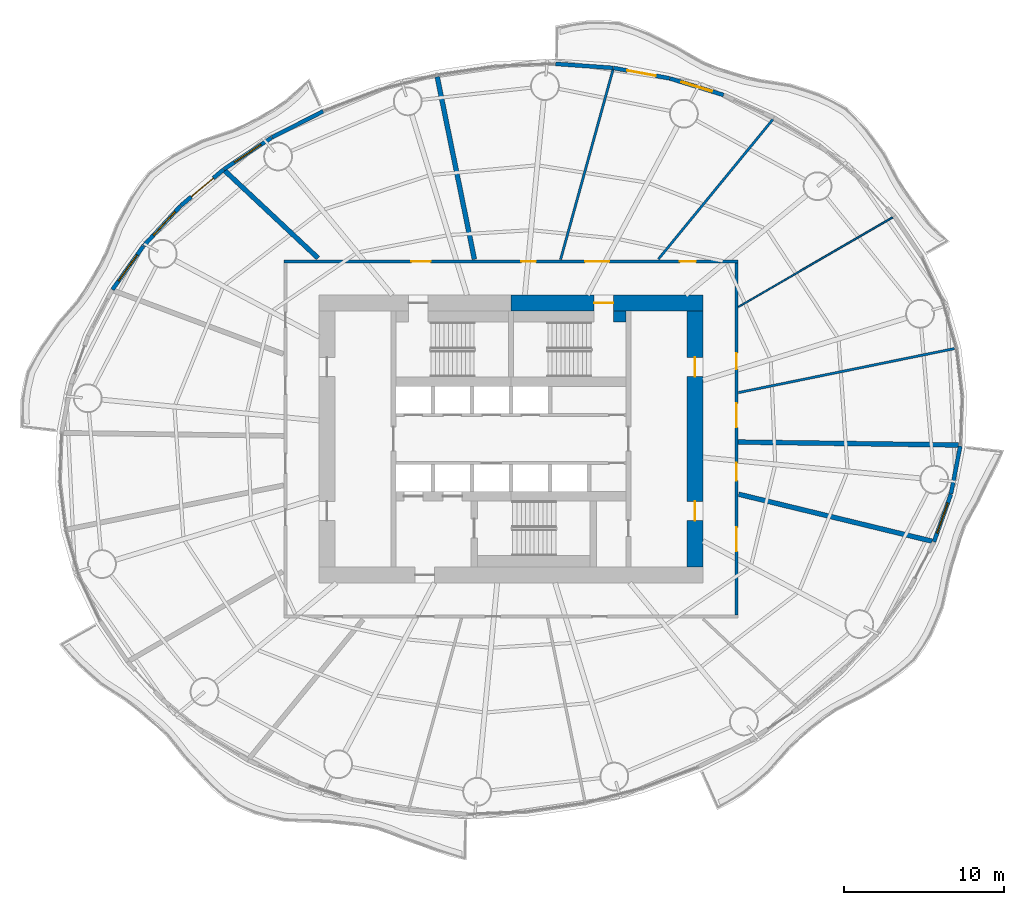
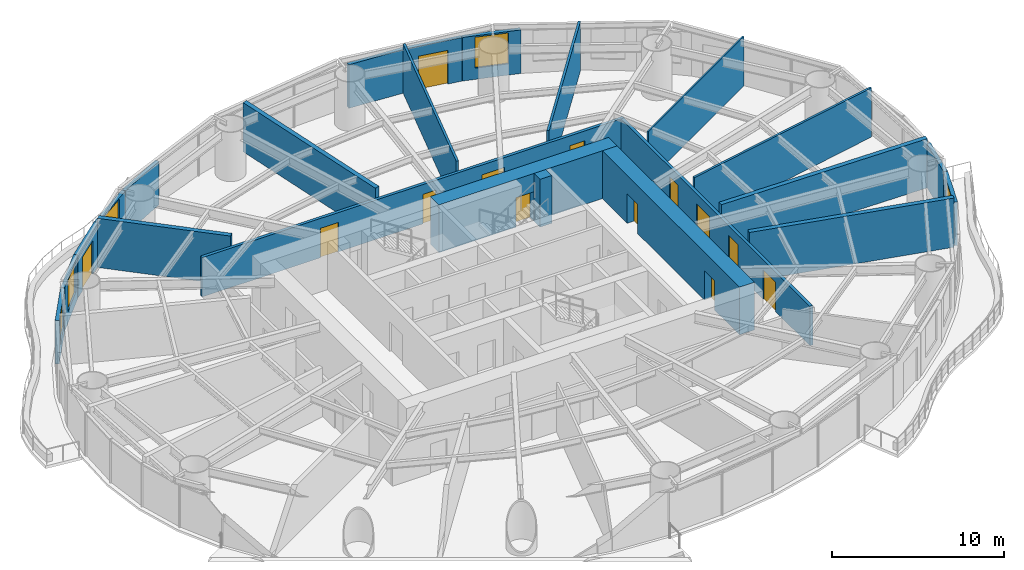
# One storey, part 10 of 16: 23 walls, 13 doors, 5 windows, 18 openings.
"""IFC4 building model written with IfcOpenShell, lengths in metres."""

import ifcopenshell
import ifcopenshell.guid

model = None  # the IFC model being written
_history = None  # IfcOwnerHistory: only IFC2X3 demands one
_inside = {}  # id of a spatial element -> (the spatial element, [elements in it])
_under = {}  # id of a project, library or spatial element -> (it, [spatial elements below it])
_declared = {}  # id of a project -> (the project, [libraries it declares])
_typed = {}  # id of a type object -> (the type object, [elements of that type])
_made_of = {}  # id of a material, layer set ... -> (it, [elements and type objects made of it])


def new_model(schema):
    """Start an empty IFC model of exactly this schema.

    Asked for "IFC4X3", IfcOpenShell would pick the latest addendum, in which some entities
    have other attributes; the version numbers below select the first issue.
    IFC2X3 requires an IfcOwnerHistory on every rooted entity: one is made here for all.
    """
    global model, _history
    if schema == "IFC4X3":
        model = ifcopenshell.file(schema_version=(4, 3, 0, 0))
    else:
        model = ifcopenshell.file(schema=schema)
    _inside.clear()
    _under.clear()
    _declared.clear()
    _typed.clear()
    _made_of.clear()
    _history = None
    if model.schema == "IFC2X3":
        org = make("IfcOrganization", Name="unknown")
        user = make(
            "IfcPersonAndOrganization",
            ThePerson=make("IfcPerson", FamilyName="unknown"),
            TheOrganization=org,
        )
        app = make(
            "IfcApplication",
            ApplicationDeveloper=org,
            Version="unknown",
            ApplicationFullName="unknown",
            ApplicationIdentifier="unknown",
        )
        _history = make(
            "IfcOwnerHistory",
            OwningUser=user,
            OwningApplication=app,
            ChangeAction="ADDED",
            CreationDate=0,
        )
    return model


def make(cls, **values):
    """One entity of the class cls with the attributes given. An attribute that is None is left unset."""
    return model.create_entity(
        cls, **{name: value for name, value in values.items() if value is not None}
    )


def rooted(cls, **values):
    """An entity with a GlobalId (a new one), such as an element, a storey or a relation."""
    return make(cls, GlobalId=ifcopenshell.guid.new(), OwnerHistory=_history, **values)


def si_unit(unit_type, name, prefix=None):
    """IfcSIUnit, for example si_unit("LENGTHUNIT", "METRE", prefix="MILLI")."""
    return make("IfcSIUnit", UnitType=unit_type, Prefix=prefix, Name=name)


def assignment(units):
    """IfcUnitAssignment: the units of a project."""
    return None if units is None else make("IfcUnitAssignment", Units=units)


def point(xyz):
    """IfcCartesianPoint."""
    return None if xyz is None else make("IfcCartesianPoint", Coordinates=xyz)


def direction(xyz):
    """IfcDirection."""
    return None if xyz is None else make("IfcDirection", DirectionRatios=xyz)


def frame(location, z_axis=None, x_axis=None):
    """IfcAxis2Placement3D, a coordinate frame: its origin and axes. An axis left out is left unset."""
    return make(
        "IfcAxis2Placement3D",
        Location=point(location),
        Axis=direction(z_axis),
        RefDirection=direction(x_axis),
    )


def frame_2d(location, x_axis=None):
    """IfcAxis2Placement2D, a coordinate frame in the plane: its origin and x axis."""
    return make(
        "IfcAxis2Placement2D", Location=point(location), RefDirection=direction(x_axis)
    )


def origin():
    """The frame at (0, 0, 0) with its axes left unset."""
    return frame((0.0, 0.0, 0.0))


def place(relative_to, where):
    """IfcLocalPlacement: puts the frame where relative to a parent placement (None: the world)."""
    return make(
        "IfcLocalPlacement", PlacementRelTo=relative_to, RelativePlacement=where
    )


def context(
    kind, dimensions, precision=None, world=None, true_north=None, identifier=None
):
    """IfcGeometricRepresentationContext, for example the 3D "Model" context."""
    return make(
        "IfcGeometricRepresentationContext",
        ContextIdentifier=identifier,
        ContextType=kind,
        CoordinateSpaceDimension=dimensions,
        Precision=precision,
        WorldCoordinateSystem=world,
        TrueNorth=true_north,
    )


def subcontext(parent, identifier, kind, view, scale=None):
    """IfcGeometricRepresentationSubContext, for example "Body" below "Model"."""
    return make(
        "IfcGeometricRepresentationSubContext",
        ContextIdentifier=identifier,
        ContextType=kind,
        ParentContext=parent,
        TargetScale=scale,
        TargetView=view,
    )


def project(units=None, contexts=None):
    """IfcProject with its units and contexts."""
    return rooted(
        "IfcProject",
        Name="project",
        RepresentationContexts=contexts,
        UnitsInContext=assignment(units),
    )


def spatial(cls, under=None, at=None, **own):
    """A site, building, storey or space (cls), placed at a placement, below another one or the project."""
    s = rooted(cls, ObjectPlacement=at, **own)
    if under is not None:
        _under.setdefault(under.id(), (under, []))[1].append(s)
    return s


def profile(cls, at=None, kind="AREA", **sizes):
    """A parametric profile (cls). Its sizes go by their IFC names, for example OverallWidth=200.0."""
    return make(cls, ProfileType=kind, Position=at, **sizes)


def rectangle(**sizes):
    """IfcRectangleProfileDef."""
    return profile("IfcRectangleProfileDef", **sizes)


def extrude(swept, where, along, depth):
    """IfcExtrudedAreaSolid: the profile swept, set in the frame where, extruded along a direction by depth."""
    return make(
        "IfcExtrudedAreaSolid",
        SweptArea=swept,
        Position=where,
        ExtrudedDirection=direction(along),
        Depth=depth,
    )


def shape(context_of_items, identifier, shape_type, items):
    """IfcShapeRepresentation: the items that make up one representation, for example the "Body"."""
    return make(
        "IfcShapeRepresentation",
        ContextOfItems=context_of_items,
        RepresentationIdentifier=identifier,
        RepresentationType=shape_type,
        Items=items,
    )


def material(Name=None, Category=None):
    """IfcMaterial."""
    return make("IfcMaterial", Name=Name, Category=Category)


def layer(
    of_material, thickness, ventilated=None, Name=None, Category=None, Priority=None
):
    """IfcMaterialLayer: one layer of a wall or slab, of a material (None: an air gap)."""
    return make(
        "IfcMaterialLayer",
        Material=of_material,
        LayerThickness=thickness,
        IsVentilated=ventilated,
        Name=Name,
        Category=Category,
        Priority=Priority,
    )


def layer_set(layers, Name=None):
    """IfcMaterialLayerSet."""
    return make("IfcMaterialLayerSet", MaterialLayers=layers, LayerSetName=Name)


def made_of(thing, what):
    """Note that an element or type object is made of a material, layer set ...; save() writes the relation."""
    if what is not None:
        _made_of.setdefault(what.id(), (what, []))[1].append(thing)
    return thing


def type_object(cls, material=None, **own):
    """A type object (cls), such as IfcWallType, which elements share."""
    return made_of(rooted(cls, **own), material)


def element(
    cls,
    number,
    at=None,
    inside=None,
    cuts=None,
    type_object=None,
    material=None,
    context=None,
    identifier="Body",
    shape_type=None,
    held_by="IfcProductDefinitionShape",
    body=None,
    shapes=None,
    **own,
):
    """One element of the class cls, such as IfcWall. Its Tag is "e" and its number.

    at: its placement. inside: the storey or other place that contains it. cuts: it is an
    opening in that element (IfcRelVoidsElement). A single representation is given by context,
    identifier, shape_type and body (its items); several are given by shapes. held_by: the class
    of the entity that holds the representations. save() writes the other relations.
    """
    e = rooted(cls, Tag="e%d" % number, ObjectPlacement=at, **own)
    if body is not None:
        shapes = [shape(context, identifier, shape_type, body)]
    if shapes is not None:
        e.Representation = make(held_by, Representations=shapes)
    if inside is not None:
        _inside.setdefault(inside.id(), (inside, []))[1].append(e)
    if cuts is not None:
        rooted(
            "IfcRelVoidsElement", RelatingBuildingElement=cuts, RelatedOpeningElement=e
        )
    if type_object is not None:
        _typed.setdefault(type_object.id(), (type_object, []))[1].append(e)
    return made_of(e, material)


def fill(opening, filler):
    """IfcRelFillsElement: the door or window that sits in an opening."""
    return rooted(
        "IfcRelFillsElement",
        RelatingOpeningElement=opening,
        RelatedBuildingElement=filler,
    )


def aggregate(whole, parts):
    """IfcRelAggregates: a whole, such as a stair, and the parts it consists of."""
    return rooted("IfcRelAggregates", RelatingObject=whole, RelatedObjects=parts)


def save(model, path):
    """Write the relations noted so far, then the file.

    IfcRelAggregates (storeys below a building ...), IfcRelContainedInSpatialStructure (elements
    in a storey), IfcRelDefinesByType, IfcRelAssociatesMaterial and IfcRelDeclares: one each for
    every whole, place, type object, material and project.
    """
    for whole, parts in _under.values():
        aggregate(whole, parts)
    for where, things in _inside.values():
        rooted(
            "IfcRelContainedInSpatialStructure",
            RelatedElements=things,
            RelatingStructure=where,
        )
    for kind, things in _typed.values():
        rooted("IfcRelDefinesByType", RelatedObjects=things, RelatingType=kind)
    for what, things in _made_of.values():
        rooted("IfcRelAssociatesMaterial", RelatedObjects=things, RelatingMaterial=what)
    for by, libraries in _declared.values():
        rooted("IfcRelDeclares", RelatingContext=by, RelatedDefinitions=libraries)
    model.write(path)


model = new_model("IFC4")

# Units and contexts
model_context = context("Model", 3, precision=1e-05, world=origin(), true_north=direction((0.0, 1.0)))
body_context = subcontext(model_context, "Body", "Model", "MODEL_VIEW")
ifc_project = project(units=[si_unit("LENGTHUNIT", "METRE"), si_unit("AREAUNIT", "SQUARE_METRE"), si_unit("VOLUMEUNIT", "CUBIC_METRE"), si_unit("PLANEANGLEUNIT", "RADIAN"), si_unit("MASSUNIT", "GRAM", prefix="KILO")], contexts=[model_context])

# Site, building, storey
site_placement = place(None, origin())
site = spatial("IfcSite", under=ifc_project, at=site_placement, CompositionType="ELEMENT")
building_placement = place(site_placement, origin())
building = spatial("IfcBuilding", under=site, at=building_placement, Name="Vermilion Reach Broadcast Tower", CompositionType="ELEMENT")
storey_placement = place(building_placement, frame((0.0, 0.0, 80.39990234375)))
storey = spatial("IfcBuildingStorey", under=building, at=storey_placement, Name="L17", CompositionType="ELEMENT", Elevation=80.39990234375)

# Wall, opening, door
ifc_material_1 = material(Name="Concrete C70", Category="concrete")
ifc_layer_1 = layer(ifc_material_1, 1.0)
ifc_layer_set_1 = layer_set([ifc_layer_1], Name="Core outer wall 1000 mm Concrete C70")
wall_type_1 = type_object("IfcWallType", Name="Core outer wall 1000 mm Concrete C70", PredefinedType="SHEAR", material=ifc_layer_set_1)
wall_1_placement = place(storey_placement, frame((6.0, 8.5, 0.0), z_axis=(0.0, 0.0, 1.0), x_axis=(-1.0, 0.0, 0.0)))
wall_1 = element("IfcWall", 1, at=wall_1_placement, inside=storey, type_object=wall_type_1, Name="L17 core wall onE", PredefinedType="SHEAR", context=body_context, shape_type="SweptSolid", body=[
    extrude(rectangle(XDim=12.0, YDim=1.0, at=frame_2d((6.0, 0.0))), origin(), (0.0, 0.0, 1.0), 3.400146484375),
])
opening_1_placement = place(wall_1_placement, frame((5.60009765625, 0.0, 0.0)))
opening_1 = element("IfcOpeningElement", 2, at=opening_1_placement, cuts=wall_1, Name="Opening D01", PredefinedType="OPENING", context=body_context, shape_type="SweptSolid", body=[
    extrude(rectangle(XDim=1.199951171875, YDim=2.10009765625, at=frame_2d((0.60009765625, 1.050048828125))), frame((0.0, 0.510009765625, 0.0), z_axis=(0.0, -1.0, 0.0), x_axis=(1.0, 0.0, 0.0)), (0.0, 0.0, 1.0), 1.02001953125),
])
ifc_material_2 = material(Name="Painted steel fire door", Category="steel")
door_type_1 = type_object("IfcDoorType", Name="Stair door 1200 x 2100", OperationType="DOUBLE_DOOR_SINGLE_SWING", PredefinedType="NOTDEFINED", material=ifc_material_2)
door_1_placement = place(opening_1_placement, origin())
door_1 = element("IfcDoor", 3, at=door_1_placement, inside=storey, type_object=door_type_1, Name="L17 stair door ST2", OperationType="DOUBLE_DOOR_SINGLE_SWING", OverallHeight=2.10009765625, OverallWidth=1.199951171875, PredefinedType="NOTDEFINED", context=body_context, shape_type="SweptSolid", body=[
    extrude(rectangle(XDim=1.199951171875, YDim=2.10009765625, at=frame_2d((0.60009765625, 1.050048828125))), frame((0.0, 0.02490234375, 0.0), z_axis=(0.0, -1.0, 0.0), x_axis=(1.0, 0.0, 0.0)), (0.0, 0.0, 1.0), 0.050048828125),
])
fill(opening_1, door_1)

# Wall, openings, doors
wall_2_placement = place(storey_placement, frame((5.5, -8.0, 0.0), z_axis=(0.0, 0.0, 1.0), x_axis=(0.0, 1.0, 0.0)))
wall_2 = element("IfcWall", 4, at=wall_2_placement, inside=storey, type_object=wall_type_1, Name="L17 core wall oe", PredefinedType="SHEAR", context=body_context, shape_type="SweptSolid", body=[
    extrude(rectangle(XDim=16.0, YDim=1.0, at=frame_2d((8.0, 0.0))), origin(), (0.0, 0.0, 1.0), 3.400146484375),
])
opening_2_placement = place(wall_2_placement, frame((2.89990234375, 0.0, 0.0)))
opening_2 = element("IfcOpeningElement", 5, at=opening_2_placement, cuts=wall_2, Name="Opening D03", PredefinedType="OPENING", context=body_context, shape_type="SweptSolid", body=[
    extrude(rectangle(XDim=1.199951171875, YDim=2.10009765625, at=frame_2d((0.60009765625, 1.050048828125))), frame((0.0, 0.510009765625, 0.0), z_axis=(0.0, -1.0, 0.0), x_axis=(1.0, 0.0, 0.0)), (0.0, 0.0, 1.0), 1.02001953125),
])
opening_3_placement = place(wall_2_placement, frame((11.89990234375, 0.0, 0.0)))
opening_3 = element("IfcOpeningElement", 6, at=opening_3_placement, cuts=wall_2, Name="Opening D03", PredefinedType="OPENING", context=body_context, shape_type="SweptSolid", body=[
    extrude(rectangle(XDim=1.199951171875, YDim=2.10009765625, at=frame_2d((0.60009765625, 1.050048828125))), frame((0.0, 0.510009765625, 0.0), z_axis=(0.0, -1.0, 0.0), x_axis=(1.0, 0.0, 0.0)), (0.0, 0.0, 1.0), 1.02001953125),
])
ifc_material_3 = material(Name="Painted steel fire door", Category="steel")
door_type_2 = type_object("IfcDoorType", Name="Core lobby door 1200 x 2100", OperationType="DOUBLE_DOOR_SINGLE_SWING", PredefinedType="NOTDEFINED", material=ifc_material_3)
door_2_placement = place(opening_2_placement, origin())
door_2 = element("IfcDoor", 7, at=door_2_placement, inside=storey, type_object=door_type_2, Name="L17 slot door E0", OperationType="DOUBLE_DOOR_SINGLE_SWING", OverallHeight=2.10009765625, OverallWidth=1.199951171875, PredefinedType="NOTDEFINED", context=body_context, shape_type="SweptSolid", body=[
    extrude(rectangle(XDim=1.199951171875, YDim=2.10009765625, at=frame_2d((0.60009765625, 1.050048828125))), frame((0.0, 0.02490234375, 0.0), z_axis=(0.0, -1.0, 0.0), x_axis=(1.0, 0.0, 0.0)), (0.0, 0.0, 1.0), 0.050048828125),
])
fill(opening_2, door_2)
door_3_placement = place(opening_3_placement, origin())
door_3 = element("IfcDoor", 8, at=door_3_placement, inside=storey, type_object=door_type_2, Name="L17 slot door E1", OperationType="DOUBLE_DOOR_SINGLE_SWING", OverallHeight=2.10009765625, OverallWidth=1.199951171875, PredefinedType="NOTDEFINED", context=body_context, shape_type="SweptSolid", body=[
    extrude(rectangle(XDim=1.199951171875, YDim=2.10009765625, at=frame_2d((0.60009765625, 1.050048828125))), frame((0.0, 0.02490234375, 0.0), z_axis=(0.0, -1.0, 0.0), x_axis=(1.0, 0.0, 0.0)), (0.0, 0.0, 1.0), 0.050048828125),
])
fill(opening_3, door_3)

# Walls
ifc_material_4 = material(Name="Concrete C70", Category="concrete")
ifc_layer_2 = layer(ifc_material_4, 0.699951171875)
ifc_layer_set_2 = layer_set([ifc_layer_2], Name="Core stair wall 700 mm Concrete C70")
wall_type_2 = type_object("IfcWallType", Name="Core stair wall 700 mm Concrete C70", PredefinedType="SHEAR", material=ifc_layer_set_2)
wall_3_placement = place(storey_placement, frame((0.39990234375, 7.64990234375, 0.0), z_axis=(0.0, 0.0, 1.0), x_axis=(1.0, 0.0, 0.0)))
element("IfcWall", 9, at=wall_3_placement, inside=storey, type_object=wall_type_2, Name="L17 core wall l2b", PredefinedType="SHEAR", context=body_context, shape_type="SweptSolid", body=[
    extrude(rectangle(XDim=0.800048828125, YDim=0.699951171875, at=frame_2d((0.39990234375, 0.0))), origin(), (0.0, 0.0, 1.0), 3.400146484375),
])
ifc_material_5 = material(Name="Plasterboard on steel stud", Category="steel")
ifc_layer_3 = layer(ifc_material_5, 0.10009765625)
ifc_layer_set_3 = layer_set([ifc_layer_3], Name="Partition 100 steel stud")
wall_type_3 = type_object("IfcWallType", Name="Partition 100 steel stud", PredefinedType="PARTITIONING", material=ifc_layer_set_3)
wall_4_placement = place(storey_placement, frame((17.8642578125, 13.858642578125, 0.0), z_axis=(0.0, 0.0, 1.0), x_axis=(-0.864751207242, -0.502200507341, 0.0)))
element("IfcWall", 10, at=wall_4_placement, inside=storey, type_object=wall_type_3, Name="Partition 17.02", PredefinedType="PARTITIONING", context=body_context, shape_type="SweptSolid", body=[
    extrude(rectangle(XDim=11.146728515625, YDim=0.10009765625, at=frame_2d((5.5732421875, 0.0))), origin(), (0.0, 0.0, 1.0), 3.5),
])
ifc_material_6 = material(Name="Lightweight concrete block, plastered", Category="concrete")
ifc_layer_4 = layer(ifc_material_6, 0.14990234375)
ifc_layer_set_4 = layer_set([ifc_layer_4], Name="Partition 150 lightweight block")
wall_type_4 = type_object("IfcWallType", Name="Partition 150 lightweight block", PredefinedType="PARTITIONING", material=ifc_layer_set_4)
wall_5_placement = place(storey_placement, frame((21.7216796875, 5.650146484375, 0.0), z_axis=(0.0, 0.0, 1.0), x_axis=(-0.979854025466, -0.19971501891, 0.0)))
element("IfcWall", 11, at=wall_5_placement, inside=storey, type_object=wall_type_4, Name="Partition 17.01", PredefinedType="PARTITIONING", context=body_context, shape_type="SweptSolid", body=[
    extrude(rectangle(XDim=13.7841796875, YDim=0.14990234375, at=frame_2d((6.89208984375, 0.0))), origin(), (0.0, 0.0, 1.0), 3.5),
])
wall_6_placement = place(storey_placement, frame((10.375244140625, 19.9833984375, 0.0), z_axis=(0.0, 0.0, 1.0), x_axis=(-0.633830873212, -0.773471669916, 0.0)))
element("IfcWall", 12, at=wall_6_placement, inside=storey, type_object=wall_type_4, Name="Partition 17.03", PredefinedType="PARTITIONING", context=body_context, shape_type="SweptSolid", body=[
    extrude(rectangle(XDim=11.29443359375, YDim=0.14990234375, at=frame_2d((5.647216796875, 0.0))), origin(), (0.0, 0.0, 1.0), 3.5),
])
wall_7_placement = place(storey_placement, frame((0.372802734375, 23.075439453125, 0.0), z_axis=(0.0, 0.0, 1.0), x_axis=(-0.266208224794, -0.963915546639, 0.0)))
element("IfcWall", 13, at=wall_7_placement, inside=storey, type_object=wall_type_4, Name="Partition 17.04", PredefinedType="PARTITIONING", context=body_context, shape_type="SweptSolid", body=[
    extrude(rectangle(XDim=12.29931640625, YDim=0.14990234375, at=frame_2d((6.149658203125, 0.0))), origin(), (0.0, 0.0, 1.0), 3.5),
])
ifc_material_7 = material(Name="Double-leaf plasterboard on isolated steel stud", Category="steel")
ifc_layer_5 = layer(ifc_material_7, 0.300048828125)
ifc_layer_set_5 = layer_set([ifc_layer_5], Name="Partition 300 acoustic double leaf")
wall_type_5 = type_object("IfcWallType", Name="Partition 300 acoustic double leaf", PredefinedType="PARTITIONING", material=ifc_layer_set_5)
wall_8_placement = place(storey_placement, frame((-10.614501953125, 22.64111328125, 0.0), z_axis=(0.0, 0.0, 1.0), x_axis=(0.19970288829, -0.979856497865, 0.0)))
element("IfcWall", 14, at=wall_8_placement, inside=storey, type_object=wall_type_5, Name="Partition 17.05", PredefinedType="PARTITIONING", context=body_context, shape_type="SweptSolid", body=[
    extrude(rectangle(XDim=11.645751953125, YDim=0.300048828125, at=frame_2d((5.82275390625, 0.0))), origin(), (0.0, 0.0, 1.0), 3.5),
])
wall_9_placement = place(storey_placement, frame((-23.884033203125, 16.7607421875, 0.0), z_axis=(0.0, 0.0, 1.0), x_axis=(0.729643205367, -0.683828043343, 0.0)))
element("IfcWall", 15, at=wall_9_placement, inside=storey, type_object=wall_type_5, Name="Partition 17.06", PredefinedType="PARTITIONING", context=body_context, shape_type="SweptSolid", body=[
    extrude(rectangle(XDim=7.971923828125, YDim=0.300048828125, at=frame_2d((3.98583984375, 0.0))), origin(), (0.0, 0.0, 1.0), 3.5),
])
wall_10_placement = place(storey_placement, frame((20.32861328125, -6.3916015625, 0.0), z_axis=(0.0, 0.0, 1.0), x_axis=(-0.971774781558, 0.235910521021, 0.0)))
element("IfcWall", 16, at=wall_10_placement, inside=storey, type_object=wall_type_5, Name="Partition 17.15", PredefinedType="PARTITIONING", context=body_context, shape_type="SweptSolid", body=[
    extrude(rectangle(XDim=12.444580078125, YDim=0.300048828125, at=frame_2d((6.22216796875, 0.0))), origin(), (0.0, 0.0, 1.0), 3.5),
])
wall_11_placement = place(storey_placement, frame((21.973388671875, -0.37939453125, 0.0), z_axis=(0.0, 0.0, 1.0), x_axis=(-0.999908046775, 0.013560899459, 0.0)))
element("IfcWall", 17, at=wall_11_placement, inside=storey, type_object=wall_type_5, Name="Partition 17.16", PredefinedType="PARTITIONING", context=body_context, shape_type="SweptSolid", body=[
    extrude(rectangle(XDim=13.7724609375, YDim=0.300048828125, at=frame_2d((6.88623046875, 0.0))), origin(), (0.0, 0.0, 1.0), 3.5),
])

# Wall, opening, window
ifc_material_8 = material(Name="Terracotta rainscreen cladding", Category="masonry")
ifc_layer_6 = layer(ifc_material_8, 0.25)
ifc_layer_set_6 = layer_set([ifc_layer_6], Name="Terracotta rainscreen wall 250")
wall_type_6 = type_object("IfcWallType", Name="Terracotta rainscreen wall 250", PredefinedType="SOLIDWALL", material=ifc_layer_set_6)
wall_12_placement = place(storey_placement, frame((7.2841796875, 21.506591796875, 0.0), z_axis=(0.0, 0.0, 1.0), x_axis=(-0.955359001532, 0.295447420351, 0.0)))
wall_12 = element("IfcWall", 18, at=wall_12_placement, inside=storey, type_object=wall_type_6, Name="External wall L17 07", PredefinedType="SOLIDWALL", context=body_context, shape_type="SweptSolid", body=[
    extrude(rectangle(XDim=3.501953125, YDim=0.25, at=frame_2d((1.7509765625, 0.0))), origin(), (0.0, 0.0, 1.0), 3.10009765625),
])
opening_4_placement = place(wall_12_placement, frame((0.7509765625, 0.0, 0.800048828125)))
opening_4 = element("IfcOpeningElement", 19, at=opening_4_placement, cuts=wall_12, Name="Opening W01", PredefinedType="OPENING", context=body_context, shape_type="SweptSolid", body=[
    extrude(rectangle(XDim=2.0, YDim=2.199951171875, at=frame_2d((1.0, 1.10009765625))), frame((0.0, 0.135009765625, 0.0), z_axis=(0.0, -1.0, 0.0), x_axis=(1.0, 0.0, 0.0)), (0.0, 0.0, 1.0), 0.27001953125),
])
ifc_material_9 = material(Name="Low-e laminated clear glass in aluminium frame", Category="aluminium")
window_type = type_object("IfcWindowType", Name="Punched window 2000 x 2200 sill 800", PartitioningType="SINGLE_PANEL", PredefinedType="WINDOW", material=ifc_material_9)
window_1_placement = place(opening_4_placement, origin())
window_1 = element("IfcWindow", 20, at=window_1_placement, inside=storey, type_object=window_type, Name="Window L17 07", OverallHeight=2.199951171875, OverallWidth=2.0, PartitioningType="SINGLE_PANEL", PredefinedType="WINDOW", context=body_context, shape_type="SweptSolid", body=[
    extrude(rectangle(XDim=2.0, YDim=2.199951171875, at=frame_2d((1.0, 1.10009765625))), frame((0.0, 0.030029296875, 0.0), z_axis=(0.0, -1.0, 0.0), x_axis=(1.0, 0.0, 0.0)), (0.0, 0.0, 1.0), 0.06005859375),
])
fill(opening_4, window_1)

# Wall, opening, door
wall_13_placement = place(storey_placement, frame((3.91650390625, 22.546630859375, 0.0), z_axis=(0.0, 0.0, 1.0), x_axis=(-0.983303724205, 0.181971937299, 0.0)))
wall_13 = element("IfcWall", 21, at=wall_13_placement, inside=storey, type_object=wall_type_6, Name="External wall L17 08", PredefinedType="SOLIDWALL", context=body_context, shape_type="SweptSolid", body=[
    extrude(rectangle(XDim=3.576904296875, YDim=0.25, at=frame_2d((1.78857421875, 0.0))), origin(), (0.0, 0.0, 1.0), 3.10009765625),
])
opening_5_placement = place(wall_13_placement, frame((0.887939453125, 0.0, 0.0)))
opening_5 = element("IfcOpeningElement", 22, at=opening_5_placement, cuts=wall_13, Name="Opening D70", PredefinedType="OPENING", context=body_context, shape_type="SweptSolid", body=[
    extrude(rectangle(XDim=1.800048828125, YDim=2.39990234375, at=frame_2d((0.89990234375, 1.199951171875))), frame((0.0, 0.135009765625, 0.0), z_axis=(0.0, -1.0, 0.0), x_axis=(1.0, 0.0, 0.0)), (0.0, 0.0, 1.0), 0.27001953125),
])
ifc_material_10 = material(Name="Low-e laminated clear glass in aluminium frame", Category="aluminium")
door_type_3 = type_object("IfcDoorType", Name="Balcony sliding door 1800 x 2400", OperationType="DOUBLE_DOOR_SLIDING", PredefinedType="DOOR", material=ifc_material_10)
door_4_placement = place(opening_5_placement, origin())
door_4 = element("IfcDoor", 23, at=door_4_placement, inside=storey, type_object=door_type_3, Name="Balcony door L17 run 02", OperationType="DOUBLE_DOOR_SLIDING", OverallHeight=2.39990234375, OverallWidth=1.800048828125, PredefinedType="DOOR", context=body_context, shape_type="SweptSolid", body=[
    extrude(rectangle(XDim=1.800048828125, YDim=2.39990234375, at=frame_2d((0.89990234375, 1.199951171875))), frame((0.0, 0.02490234375, 0.0), z_axis=(0.0, -1.0, 0.0), x_axis=(1.0, 0.0, 0.0)), (0.0, 0.0, 1.0), 0.050048828125),
])
fill(opening_5, door_4)

# Walls
wall_14_placement = place(storey_placement, frame((0.37744140625, 23.2001953125, 0.0), z_axis=(0.0, 0.0, 1.0), x_axis=(-0.997533004905, 0.070199032227, 0.0)))
element("IfcWall", 24, at=wall_14_placement, inside=storey, type_object=wall_type_6, Name="External wall L17 09", PredefinedType="SOLIDWALL", context=body_context, shape_type="SweptSolid", body=[
    extrude(rectangle(XDim=3.592529296875, YDim=0.25, at=frame_2d((1.79638671875, 0.0))), origin(), (0.0, 0.0, 1.0), 3.10009765625),
])
wall_15_placement = place(storey_placement, frame((-17.74951171875, 20.48828125, 0.0), z_axis=(0.0, 0.0, 1.0), x_axis=(-0.890478739506, -0.455024850407, 0.0)))
element("IfcWall", 25, at=wall_15_placement, inside=storey, type_object=wall_type_6, Name="External wall L17 14", PredefinedType="SOLIDWALL", context=body_context, shape_type="SweptSolid", body=[
    extrude(rectangle(XDim=3.5927734375, YDim=0.25, at=frame_2d((1.79638671875, 0.0))), origin(), (0.0, 0.0, 1.0), 3.10009765625),
])

# Wall, opening, window
wall_16_placement = place(storey_placement, frame((-20.9677734375, 18.842529296875, 0.0), z_axis=(0.0, 0.0, 1.0), x_axis=(-0.833653527953, -0.552287783073, 0.0)))
wall_16 = element("IfcWall", 26, at=wall_16_placement, inside=storey, type_object=wall_type_6, Name="External wall L17 15", PredefinedType="SOLIDWALL", context=body_context, shape_type="SweptSolid", body=[
    extrude(rectangle(XDim=3.57666015625, YDim=0.25, at=frame_2d((1.788330078125, 0.0))), origin(), (0.0, 0.0, 1.0), 3.10009765625),
])
opening_6_placement = place(wall_16_placement, frame((0.788330078125, 0.0, 0.800048828125)))
opening_6 = element("IfcOpeningElement", 27, at=opening_6_placement, cuts=wall_16, Name="Opening W01", PredefinedType="OPENING", context=body_context, shape_type="SweptSolid", body=[
    extrude(rectangle(XDim=2.0, YDim=2.199951171875, at=frame_2d((1.0, 1.10009765625))), frame((0.0, 0.135009765625, 0.0), z_axis=(0.0, -1.0, 0.0), x_axis=(1.0, 0.0, 0.0)), (0.0, 0.0, 1.0), 0.27001953125),
])
window_2_placement = place(opening_6_placement, origin())
window_2 = element("IfcWindow", 28, at=window_2_placement, inside=storey, type_object=window_type, Name="Window L17 15", OverallHeight=2.199951171875, OverallWidth=2.0, PartitioningType="SINGLE_PANEL", PredefinedType="WINDOW", context=body_context, shape_type="SweptSolid", body=[
    extrude(rectangle(XDim=2.0, YDim=2.199951171875, at=frame_2d((1.0, 1.10009765625))), frame((0.0, 0.030029296875, 0.0), z_axis=(0.0, -1.0, 0.0), x_axis=(1.0, 0.0, 0.0)), (0.0, 0.0, 1.0), 0.06005859375),
])
fill(opening_6, window_2)

# Wall, opening, door
wall_17_placement = place(storey_placement, frame((-23.9677734375, 16.853515625, 0.0), z_axis=(0.0, 0.0, 1.0), x_axis=(-0.76352642001, -0.645776591358, 0.0)))
wall_17 = element("IfcWall", 29, at=wall_17_placement, inside=storey, type_object=wall_type_6, Name="External wall L17 16", PredefinedType="SOLIDWALL", context=body_context, shape_type="SweptSolid", body=[
    extrude(rectangle(XDim=3.501953125, YDim=0.25, at=frame_2d((1.7509765625, 0.0))), origin(), (0.0, 0.0, 1.0), 3.10009765625),
])
opening_7_placement = place(wall_17_placement, frame((0.85107421875, 0.0, 0.0)))
opening_7 = element("IfcOpeningElement", 30, at=opening_7_placement, cuts=wall_17, Name="Opening D70", PredefinedType="OPENING", context=body_context, shape_type="SweptSolid", body=[
    extrude(rectangle(XDim=1.800048828125, YDim=2.39990234375, at=frame_2d((0.89990234375, 1.199951171875))), frame((0.0, 0.135009765625, 0.0), z_axis=(0.0, -1.0, 0.0), x_axis=(1.0, 0.0, 0.0)), (0.0, 0.0, 1.0), 0.27001953125),
])
door_5_placement = place(opening_7_placement, origin())
door_5 = element("IfcDoor", 31, at=door_5_placement, inside=storey, type_object=door_type_3, Name="Balcony door L17 run 04", OperationType="DOUBLE_DOOR_SLIDING", OverallHeight=2.39990234375, OverallWidth=1.800048828125, PredefinedType="DOOR", context=body_context, shape_type="SweptSolid", body=[
    extrude(rectangle(XDim=1.800048828125, YDim=2.39990234375, at=frame_2d((0.89990234375, 1.199951171875))), frame((0.0, 0.02490234375, 0.0), z_axis=(0.0, -1.0, 0.0), x_axis=(1.0, 0.0, 0.0)), (0.0, 0.0, 1.0), 0.050048828125),
])
fill(opening_7, door_5)

# Wall, opening, window
wall_18_placement = place(storey_placement, frame((-26.658447265625, 14.575927734375, 0.0), z_axis=(0.0, 0.0, 1.0), x_axis=(-0.679170019498, -0.733980983824, 0.0)))
wall_18 = element("IfcWall", 32, at=wall_18_placement, inside=storey, type_object=wall_type_6, Name="External wall L17 17", PredefinedType="SOLIDWALL", context=body_context, shape_type="SweptSolid", body=[
    extrude(rectangle(XDim=3.41650390625, YDim=0.25, at=frame_2d((1.708251953125, 0.0))), origin(), (0.0, 0.0, 1.0), 3.10009765625),
])
opening_8_placement = place(wall_18_placement, frame((0.508056640625, 0.0, 0.800048828125)))
opening_8 = element("IfcOpeningElement", 33, at=opening_8_placement, cuts=wall_18, Name="Opening W01", PredefinedType="OPENING", context=body_context, shape_type="SweptSolid", body=[
    extrude(rectangle(XDim=2.0, YDim=2.199951171875, at=frame_2d((1.0, 1.10009765625))), frame((0.0, 0.135009765625, 0.0), z_axis=(0.0, -1.0, 0.0), x_axis=(1.0, 0.0, 0.0)), (0.0, 0.0, 1.0), 0.27001953125),
])
window_3_placement = place(opening_8_placement, origin())
window_3 = element("IfcWindow", 34, at=window_3_placement, inside=storey, type_object=window_type, Name="Window L17 17", OverallHeight=2.199951171875, OverallWidth=2.0, PartitioningType="SINGLE_PANEL", PredefinedType="WINDOW", context=body_context, shape_type="SweptSolid", body=[
    extrude(rectangle(XDim=2.0, YDim=2.199951171875, at=frame_2d((1.0, 1.10009765625))), frame((0.0, 0.030029296875, 0.0), z_axis=(0.0, -1.0, 0.0), x_axis=(1.0, 0.0, 0.0)), (0.0, 0.0, 1.0), 0.06005859375),
])
fill(opening_8, window_3)

wall_19_placement = place(storey_placement, frame((-28.993896484375, 12.0498046875, 0.0), z_axis=(0.0, 0.0, 1.0), x_axis=(-0.579570373791, -0.814922193724, 0.0)))
wall_19 = element("IfcWall", 35, at=wall_19_placement, inside=storey, type_object=wall_type_6, Name="External wall L17 18", PredefinedType="SOLIDWALL", context=body_context, shape_type="SweptSolid", body=[
    extrude(rectangle(XDim=3.32568359375, YDim=0.25, at=frame_2d((1.662841796875, 0.0))), origin(), (0.0, 0.0, 1.0), 3.10009765625),
])
opening_9_placement = place(wall_19_placement, frame((0.662841796875, 0.0, 0.800048828125)))
opening_9 = element("IfcOpeningElement", 36, at=opening_9_placement, cuts=wall_19, Name="Opening W01", PredefinedType="OPENING", context=body_context, shape_type="SweptSolid", body=[
    extrude(rectangle(XDim=2.0, YDim=2.199951171875, at=frame_2d((1.0, 1.10009765625))), frame((0.0, 0.135009765625, 0.0), z_axis=(0.0, -1.0, 0.0), x_axis=(1.0, 0.0, 0.0)), (0.0, 0.0, 1.0), 0.27001953125),
])
window_4_placement = place(opening_9_placement, origin())
window_4 = element("IfcWindow", 37, at=window_4_placement, inside=storey, type_object=window_type, Name="Window L17 18", OverallHeight=2.199951171875, OverallWidth=2.0, PartitioningType="SINGLE_PANEL", PredefinedType="WINDOW", context=body_context, shape_type="SweptSolid", body=[
    extrude(rectangle(XDim=2.0, YDim=2.199951171875, at=frame_2d((1.0, 1.10009765625))), frame((0.0, 0.030029296875, 0.0), z_axis=(0.0, -1.0, 0.0), x_axis=(1.0, 0.0, 0.0)), (0.0, 0.0, 1.0), 0.06005859375),
])
fill(opening_9, window_4)

wall_20_placement = place(storey_placement, frame((20.447509765625, -6.4296875, 0.0), z_axis=(0.0, 0.0, 1.0), x_axis=(0.334132445697, 0.942526131591, 0.0)))
wall_20 = element("IfcWall", 38, at=wall_20_placement, inside=storey, type_object=wall_type_6, Name="External wall L17 44", PredefinedType="SOLIDWALL", context=body_context, shape_type="SweptSolid", body=[
    extrude(rectangle(XDim=3.152099609375, YDim=0.25, at=frame_2d((1.576171875, 0.0))), origin(), (0.0, 0.0, 1.0), 3.10009765625),
])
opening_10_placement = place(wall_20_placement, frame((0.575927734375, 0.0, 0.800048828125)))
opening_10 = element("IfcOpeningElement", 39, at=opening_10_placement, cuts=wall_20, Name="Opening W01", PredefinedType="OPENING", context=body_context, shape_type="SweptSolid", body=[
    extrude(rectangle(XDim=2.0, YDim=2.199951171875, at=frame_2d((1.0, 1.10009765625))), frame((0.0, 0.135009765625, 0.0), z_axis=(0.0, -1.0, 0.0), x_axis=(1.0, 0.0, 0.0)), (0.0, 0.0, 1.0), 0.27001953125),
])
window_5_placement = place(opening_10_placement, origin())
window_5 = element("IfcWindow", 40, at=window_5_placement, inside=storey, type_object=window_type, Name="Window L17 44", OverallHeight=2.199951171875, OverallWidth=2.0, PartitioningType="SINGLE_PANEL", PredefinedType="WINDOW", context=body_context, shape_type="SweptSolid", body=[
    extrude(rectangle(XDim=2.0, YDim=2.199951171875, at=frame_2d((1.0, 1.10009765625))), frame((0.0, 0.030029296875, 0.0), z_axis=(0.0, -1.0, 0.0), x_axis=(1.0, 0.0, 0.0)), (0.0, 0.0, 1.0), 0.06005859375),
])
fill(opening_10, window_5)

# Wall
wall_21_placement = place(storey_placement, frame((21.5078125, -3.43310546875, 0.0), z_axis=(0.0, 0.0, 1.0), x_axis=(0.190508646818, 0.981685517611, 0.0)))
element("IfcWall", 41, at=wall_21_placement, inside=storey, type_object=wall_type_6, Name="External wall L17 45", PredefinedType="SOLIDWALL", context=body_context, shape_type="SweptSolid", body=[
    extrude(rectangle(XDim=3.041015625, YDim=0.25, at=frame_2d((1.5205078125, 0.0))), origin(), (0.0, 0.0, 1.0), 3.10009765625),
])

# Wall, openings, doors
ifc_material_11 = material(Name="Fire-rated gypsum board partition")
ifc_layer_7 = layer(ifc_material_11, 0.199951171875)
ifc_layer_set_7 = layer_set([ifc_layer_7], Name="Under girder: Corridor wall 200 fire-rated")
wall_type_7 = type_object("IfcWallType", Name="Under girder: Corridor wall 200 fire-rated", PredefinedType="PARTITIONING", material=ifc_layer_set_7)
wall_22_placement = place(storey_placement, frame((-20.199951171875, 11.10009765625, 0.0), z_axis=(0.0, 0.0, 1.0), x_axis=(1.0, 0.0, 0.0)))
wall_22 = element("IfcWall", 42, at=wall_22_placement, inside=storey, type_object=wall_type_7, Name="Corridor wall 17.N", PredefinedType="PARTITIONING", context=body_context, shape_type="SweptSolid", body=[
    extrude(rectangle(XDim=28.39990234375, YDim=0.199951171875, at=frame_2d((14.199951171875, 0.0))), origin(), (0.0, 0.0, 1.0), 2.800048828125),
])
opening_11_placement = place(wall_22_placement, frame((24.75439453125, 0.0, 0.0)))
opening_11 = element("IfcOpeningElement", 43, at=opening_11_placement, cuts=wall_22, Name="Opening D20", PredefinedType="OPENING", context=body_context, shape_type="SweptSolid", body=[
    extrude(rectangle(XDim=1.0, YDim=2.10009765625, at=frame_2d((0.5, 1.050048828125))), frame((0.0, 0.10986328125, 0.0), z_axis=(0.0, -1.0, 0.0), x_axis=(1.0, 0.0, 0.0)), (0.0, 0.0, 1.0), 0.219970703125),
])
opening_12_placement = place(wall_22_placement, frame((18.83837890625, 0.0, 0.0)))
opening_12 = element("IfcOpeningElement", 44, at=opening_12_placement, cuts=wall_22, Name="Opening D24", PredefinedType="OPENING", context=body_context, shape_type="SweptSolid", body=[
    extrude(rectangle(XDim=1.5, YDim=2.10009765625, at=frame_2d((0.75, 1.050048828125))), frame((0.0, 0.10986328125, 0.0), z_axis=(0.0, -1.0, 0.0), x_axis=(1.0, 0.0, 0.0)), (0.0, 0.0, 1.0), 0.219970703125),
])
opening_13_placement = place(wall_22_placement, frame((14.850341796875, 0.0, 0.0)))
opening_13 = element("IfcOpeningElement", 45, at=opening_13_placement, cuts=wall_22, Name="Opening D22", PredefinedType="OPENING", context=body_context, shape_type="SweptSolid", body=[
    extrude(rectangle(XDim=0.89990234375, YDim=2.10009765625, at=frame_2d((0.449951171875, 1.050048828125))), frame((0.0, 0.10986328125, 0.0), z_axis=(0.0, -1.0, 0.0), x_axis=(1.0, 0.0, 0.0)), (0.0, 0.0, 1.0), 0.219970703125),
])
opening_14_placement = place(wall_22_placement, frame((7.976806640625, 0.0, 0.0)))
opening_14 = element("IfcOpeningElement", 46, at=opening_14_placement, cuts=wall_22, Name="Opening D26", PredefinedType="OPENING", context=body_context, shape_type="SweptSolid", body=[
    extrude(rectangle(XDim=1.199951171875, YDim=2.10009765625, at=frame_2d((0.60009765625, 1.050048828125))), frame((0.0, 0.10986328125, 0.0), z_axis=(0.0, -1.0, 0.0), x_axis=(1.0, 0.0, 0.0)), (0.0, 0.0, 1.0), 0.219970703125),
])
ifc_material_12 = material(Name="Timber door leaf", Category="wood")
door_type_4 = type_object("IfcDoorType", Name="Door pair 1500x2100", OperationType="NOTDEFINED", PredefinedType="DOOR", material=ifc_material_12)
door_6_placement = place(opening_12_placement, origin())
door_6 = element("IfcDoor", 47, at=door_6_placement, inside=storey, type_object=door_type_4, Name="Door 17.03", OperationType="DOUBLE_DOOR_SINGLE_SWING", OverallHeight=2.10009765625, OverallWidth=1.5, PredefinedType="DOOR", context=body_context, shape_type="SweptSolid", body=[
    extrude(rectangle(XDim=1.5, YDim=2.10009765625, at=frame_2d((0.75, 1.050048828125))), frame((0.0, 0.02490234375, 0.0), z_axis=(0.0, -1.0, 0.0), x_axis=(1.0, 0.0, 0.0)), (0.0, 0.0, 1.0), 0.050048828125),
])
fill(opening_12, door_6)
ifc_material_13 = material(Name="Timber door leaf", Category="wood")
door_type_5 = type_object("IfcDoorType", Name="Door single 1000x2100", OperationType="NOTDEFINED", PredefinedType="DOOR", material=ifc_material_13)
door_7_placement = place(opening_11_placement, origin())
door_7 = element("IfcDoor", 48, at=door_7_placement, inside=storey, type_object=door_type_5, Name="Door 17.02", OperationType="SINGLE_SWING_LEFT", OverallHeight=2.10009765625, OverallWidth=1.0, PredefinedType="DOOR", context=body_context, shape_type="SweptSolid", body=[
    extrude(rectangle(XDim=1.0, YDim=2.10009765625, at=frame_2d((0.5, 1.050048828125))), frame((0.0, 0.02490234375, 0.0), z_axis=(0.0, -1.0, 0.0), x_axis=(1.0, 0.0, 0.0)), (0.0, 0.0, 1.0), 0.050048828125),
])
fill(opening_11, door_7)
ifc_material_14 = material(Name="Acoustic timber door leaf", Category="wood")
door_type_6 = type_object("IfcDoorType", Name="Door single 1200x2100", OperationType="NOTDEFINED", PredefinedType="DOOR", material=ifc_material_14)
door_8_placement = place(opening_14_placement, origin())
door_8 = element("IfcDoor", 49, at=door_8_placement, inside=storey, type_object=door_type_6, Name="Door 17.05", OperationType="SINGLE_SWING_RIGHT", OverallHeight=2.10009765625, OverallWidth=1.199951171875, PredefinedType="DOOR", context=body_context, shape_type="SweptSolid", body=[
    extrude(rectangle(XDim=1.199951171875, YDim=2.10009765625, at=frame_2d((0.60009765625, 1.050048828125))), frame((0.0, 0.02490234375, 0.0), z_axis=(0.0, -1.0, 0.0), x_axis=(1.0, 0.0, 0.0)), (0.0, 0.0, 1.0), 0.050048828125),
])
fill(opening_14, door_8)
ifc_material_15 = material(Name="Timber door leaf", Category="wood")
door_type_7 = type_object("IfcDoorType", Name="Door single 900x2100", OperationType="NOTDEFINED", PredefinedType="DOOR", material=ifc_material_15)
door_9_placement = place(opening_13_placement, origin())
door_9 = element("IfcDoor", 50, at=door_9_placement, inside=storey, type_object=door_type_7, Name="Door 17.04", OperationType="SINGLE_SWING_RIGHT", OverallHeight=2.10009765625, OverallWidth=0.89990234375, PredefinedType="DOOR", context=body_context, shape_type="SweptSolid", body=[
    extrude(rectangle(XDim=0.89990234375, YDim=2.10009765625, at=frame_2d((0.449951171875, 1.050048828125))), frame((0.0, 0.02490234375, 0.0), z_axis=(0.0, -1.0, 0.0), x_axis=(1.0, 0.0, 0.0)), (0.0, 0.0, 1.0), 0.050048828125),
])
fill(opening_13, door_9)

wall_23_placement = place(storey_placement, frame((8.10009765625, 11.0, 0.0), z_axis=(0.0, 0.0, 1.0), x_axis=(0.0, -1.0, 0.0)))
wall_23 = element("IfcWall", 51, at=wall_23_placement, inside=storey, type_object=wall_type_7, Name="Corridor wall 17.E", PredefinedType="PARTITIONING", context=body_context, shape_type="SweptSolid", body=[
    extrude(rectangle(XDim=22.0, YDim=0.199951171875, at=frame_2d((11.0, 0.0))), origin(), (0.0, 0.0, 1.0), 2.800048828125),
])
opening_15_placement = place(wall_23_placement, frame((5.630126953125, 0.0, 0.0)))
opening_15 = element("IfcOpeningElement", 52, at=opening_15_placement, cuts=wall_23, Name="Opening D20", PredefinedType="OPENING", context=body_context, shape_type="SweptSolid", body=[
    extrude(rectangle(XDim=1.0, YDim=2.10009765625, at=frame_2d((0.5, 1.050048828125))), frame((0.0, 0.10986328125, 0.0), z_axis=(0.0, -1.0, 0.0), x_axis=(1.0, 0.0, 0.0)), (0.0, 0.0, 1.0), 0.219970703125),
])
opening_16_placement = place(wall_23_placement, frame((16.523193359375, 0.0, 0.0)))
opening_16 = element("IfcOpeningElement", 53, at=opening_16_placement, cuts=wall_23, Name="Opening D24", PredefinedType="OPENING", context=body_context, shape_type="SweptSolid", body=[
    extrude(rectangle(XDim=1.5, YDim=2.10009765625, at=frame_2d((0.75, 1.050048828125))), frame((0.0, 0.10986328125, 0.0), z_axis=(0.0, -1.0, 0.0), x_axis=(1.0, 0.0, 0.0)), (0.0, 0.0, 1.0), 0.219970703125),
])
opening_17_placement = place(wall_23_placement, frame((12.5009765625, 0.0, 0.0)))
opening_17 = element("IfcOpeningElement", 54, at=opening_17_placement, cuts=wall_23, Name="Opening D28", PredefinedType="OPENING", context=body_context, shape_type="SweptSolid", body=[
    extrude(rectangle(XDim=1.10009765625, YDim=2.10009765625, at=frame_2d((0.550048828125, 1.050048828125))), frame((0.0, 0.10986328125, 0.0), z_axis=(0.0, -1.0, 0.0), x_axis=(1.0, 0.0, 0.0)), (0.0, 0.0, 1.0), 0.219970703125),
])
opening_18_placement = place(wall_23_placement, frame((8.78173828125, 0.0, 0.0)))
opening_18 = element("IfcOpeningElement", 55, at=opening_18_placement, cuts=wall_23, Name="Opening D24", PredefinedType="OPENING", context=body_context, shape_type="SweptSolid", body=[
    extrude(rectangle(XDim=1.5, YDim=2.10009765625, at=frame_2d((0.75, 1.050048828125))), frame((0.0, 0.10986328125, 0.0), z_axis=(0.0, -1.0, 0.0), x_axis=(1.0, 0.0, 0.0)), (0.0, 0.0, 1.0), 0.219970703125),
])
door_10_placement = place(opening_16_placement, origin())
door_10 = element("IfcDoor", 56, at=door_10_placement, inside=storey, type_object=door_type_4, Name="Door 17.14", OperationType="DOUBLE_DOOR_SINGLE_SWING", OverallHeight=2.10009765625, OverallWidth=1.5, PredefinedType="DOOR", context=body_context, shape_type="SweptSolid", body=[
    extrude(rectangle(XDim=1.5, YDim=2.10009765625, at=frame_2d((0.75, 1.050048828125))), frame((0.0, 0.02490234375, 0.0), z_axis=(0.0, -1.0, 0.0), x_axis=(1.0, 0.0, 0.0)), (0.0, 0.0, 1.0), 0.050048828125),
])
fill(opening_16, door_10)
door_11_placement = place(opening_18_placement, origin())
door_11 = element("IfcDoor", 57, at=door_11_placement, inside=storey, type_object=door_type_4, Name="Door 17.16", OperationType="DOUBLE_DOOR_SINGLE_SWING", OverallHeight=2.10009765625, OverallWidth=1.5, PredefinedType="DOOR", context=body_context, shape_type="SweptSolid", body=[
    extrude(rectangle(XDim=1.5, YDim=2.10009765625, at=frame_2d((0.75, 1.050048828125))), frame((0.0, 0.02490234375, 0.0), z_axis=(0.0, -1.0, 0.0), x_axis=(1.0, 0.0, 0.0)), (0.0, 0.0, 1.0), 0.050048828125),
])
fill(opening_18, door_11)
door_12_placement = place(opening_15_placement, origin())
door_12 = element("IfcDoor", 58, at=door_12_placement, inside=storey, type_object=door_type_5, Name="Door 17.01", OperationType="SINGLE_SWING_RIGHT", OverallHeight=2.10009765625, OverallWidth=1.0, PredefinedType="DOOR", context=body_context, shape_type="SweptSolid", body=[
    extrude(rectangle(XDim=1.0, YDim=2.10009765625, at=frame_2d((0.5, 1.050048828125))), frame((0.0, 0.02490234375, 0.0), z_axis=(0.0, -1.0, 0.0), x_axis=(1.0, 0.0, 0.0)), (0.0, 0.0, 1.0), 0.050048828125),
])
fill(opening_15, door_12)
ifc_material_16 = material(Name="Acoustic sound-lock door leaf")
door_type_8 = type_object("IfcDoorType", Name="Door single 1100x2100", OperationType="NOTDEFINED", PredefinedType="DOOR", material=ifc_material_16)
door_13_placement = place(opening_17_placement, origin())
door_13 = element("IfcDoor", 59, at=door_13_placement, inside=storey, type_object=door_type_8, Name="Door 17.15", OperationType="SINGLE_SWING_RIGHT", OverallHeight=2.10009765625, OverallWidth=1.10009765625, PredefinedType="DOOR", context=body_context, shape_type="SweptSolid", body=[
    extrude(rectangle(XDim=1.10009765625, YDim=2.10009765625, at=frame_2d((0.550048828125, 1.050048828125))), frame((0.0, 0.02490234375, 0.0), z_axis=(0.0, -1.0, 0.0), x_axis=(1.0, 0.0, 0.0)), (0.0, 0.0, 1.0), 0.050048828125),
])
fill(opening_17, door_13)

save(model, "model.ifc")
